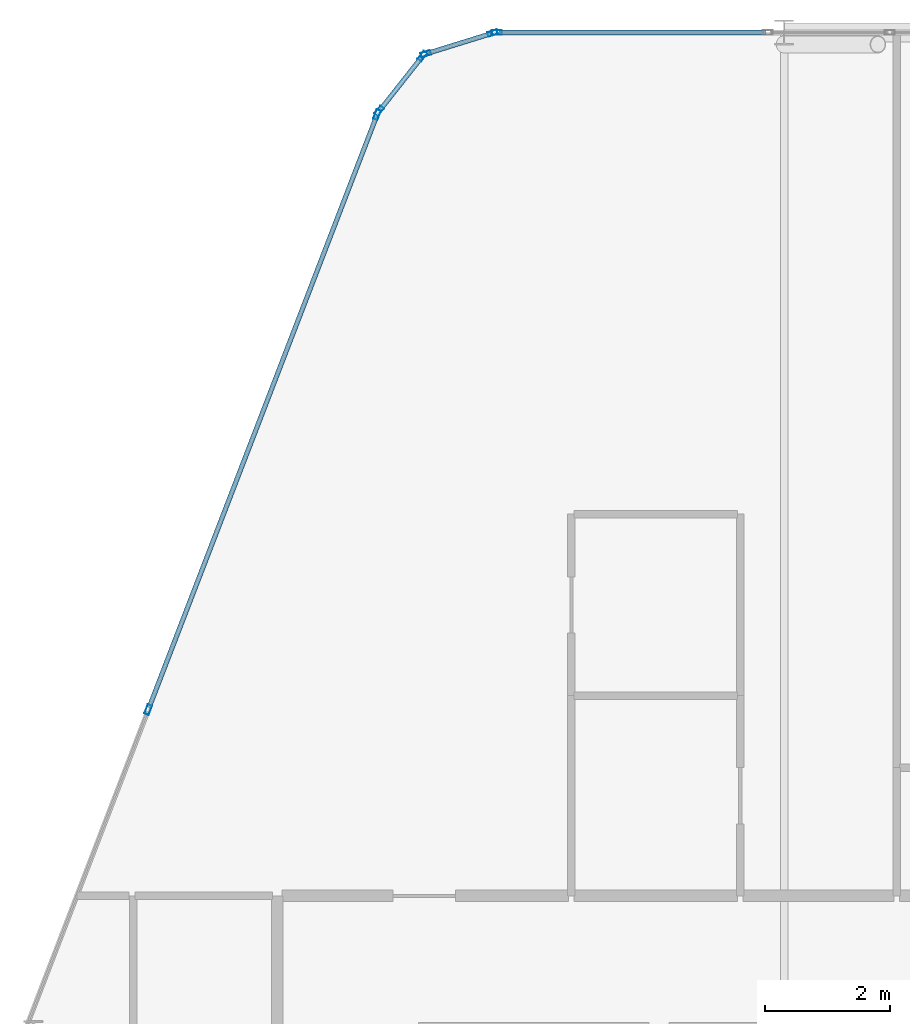
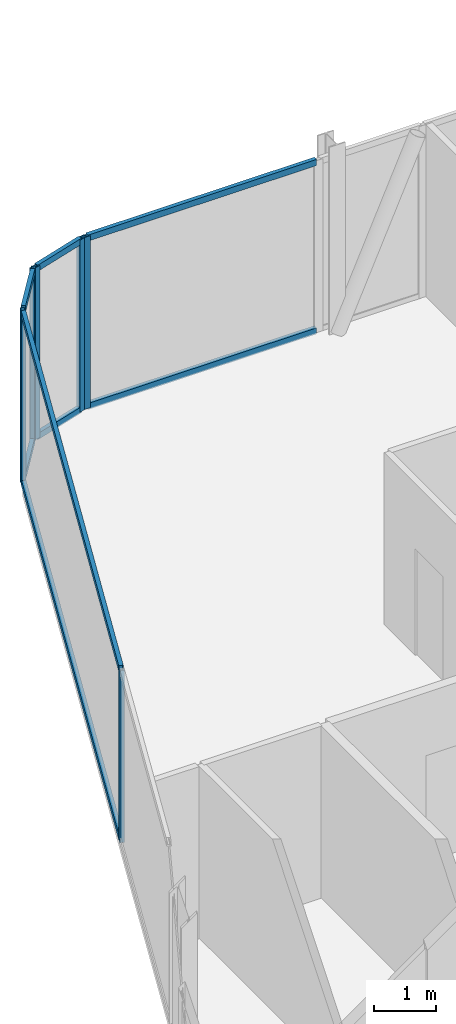
# One storey, part 15 of 27: 15 members, 4 elements without a shape of their own.
"""IFC4 building model written with IfcOpenShell, lengths in metres."""

from ifc_helpers import new_model, si_unit, direction, frame, origin, origin_2d, place, context, subcontext, project, spatial, hollow_rectangle, extrude, material, layer, layer_set, material_profile, profile_set, type_object, element, aggregate, save


model = new_model("IFC4")

# Units and contexts
model_context = context("Model", 3, precision=1e-05, world=origin(), true_north=direction((0.0, 1.0)))
body_context = subcontext(model_context, "Body", "Model", "MODEL_VIEW")
ifc_project = project(units=[si_unit("LENGTHUNIT", "METRE"), si_unit("AREAUNIT", "SQUARE_METRE"), si_unit("VOLUMEUNIT", "CUBIC_METRE"), si_unit("PLANEANGLEUNIT", "RADIAN"), si_unit("MASSUNIT", "GRAM", prefix="KILO")], contexts=[model_context])

# Site, building, storey
site_placement = place(None, origin())
site = spatial("IfcSite", under=ifc_project, at=site_placement, CompositionType="ELEMENT")
building_placement = place(site_placement, origin())
building = spatial("IfcBuilding", under=site, at=building_placement, Name="Keshet Zoharim Tower", CompositionType="ELEMENT")
storey_placement = place(building_placement, frame((0.0, 0.0, 291.699951171875)))
storey = spatial("IfcBuildingStorey", under=building, at=storey_placement, Name="L73", CompositionType="ELEMENT", Elevation=291.699951171875)

# Curtain wall, members
ifc_material = material(Name="Aluminium 6063-T6", Category="aluminium")
ifc_layer = layer(ifc_material, 0.260009765625)
ifc_layer_set = layer_set([ifc_layer], Name="Aluminium 6063-T6")
curtain_wall_type = type_object("IfcCurtainWallType", Name="CW-SYS-06", PredefinedType="NOTDEFINED", material=ifc_layer_set)
curtain_wall_1_placement = place(storey_placement, origin())
curtain_wall_1 = element("IfcCurtainWall", 1, at=curtain_wall_1_placement, inside=storey, type_object=curtain_wall_type, Name="L73 Unitised Curtain Wall 03", PredefinedType="NOTDEFINED")
ifc_material_profile_1 = material_profile(ifc_material, hollow_rectangle(XDim=0.074951171875, YDim=0.159912109375, WallThickness=0.00390625, at=origin_2d()), Name="MUL-75x160")
ifc_profile_set_1 = profile_set([ifc_material_profile_1], Name="Aluminium 6063-T6")
member_type_1 = type_object("IfcMemberType", Name="CWM-M15", PredefinedType="MULLION", material=ifc_profile_set_1)
member_1_placement = place(storey_placement, frame((10.8369140625, 43.076416015625, 0.0), z_axis=(0.0, 0.0, 1.0), x_axis=(-0.933341404361, 0.358990003907, 0.0)))
member_1 = element("IfcMember", 2, at=member_1_placement, type_object=member_type_1, Name="CW-06 mullion 3", PredefinedType="MULLION", context=body_context, shape_type="SweptSolid", body=[
    extrude(hollow_rectangle(XDim=0.074951171875, YDim=0.159912109375, WallThickness=0.00390625, at=origin_2d()), origin(), (0.0, 0.0, 1.0), 3.39013671875),
])
member_2_placement = place(storey_placement, frame((14.494384765625, 52.58544921875, 0.0), z_axis=(0.0, 0.0, 1.0), x_axis=(-0.933341404361, 0.358990003907, 0.0)))
member_2 = element("IfcMember", 3, at=member_2_placement, type_object=member_type_1, Name="CW-06 mullion 4", PredefinedType="MULLION", context=body_context, shape_type="SweptSolid", body=[
    extrude(hollow_rectangle(XDim=0.074951171875, YDim=0.159912109375, WallThickness=0.00390625, at=origin_2d()), origin(), (0.0, 0.0, 1.0), 3.39013671875),
])

curtain_wall_2_placement = place(storey_placement, origin())
curtain_wall_2 = element("IfcCurtainWall", 4, at=curtain_wall_2_placement, inside=storey, type_object=curtain_wall_type, Name="L73 Unitised Curtain Wall 04", PredefinedType="NOTDEFINED")
member_3_placement = place(storey_placement, frame((14.528564453125, 52.6455078125, 0.0), z_axis=(0.0, 0.0, 1.0), x_axis=(-0.785292825205, 0.619124525989, 0.0)))
member_3 = element("IfcMember", 5, at=member_3_placement, type_object=member_type_1, Name="CW-06 mullion 1", PredefinedType="MULLION", context=body_context, shape_type="SweptSolid", body=[
    extrude(hollow_rectangle(XDim=0.074951171875, YDim=0.159912109375, WallThickness=0.00390625, at=origin_2d()), origin(), (0.0, 0.0, 1.0), 3.39013671875),
])
member_4_placement = place(storey_placement, frame((15.21923828125, 53.521484375, 0.0), z_axis=(0.0, 0.0, 1.0), x_axis=(-0.785292825205, 0.619124525989, 0.0)))
member_4 = element("IfcMember", 6, at=member_4_placement, type_object=member_type_1, Name="CW-06 mullion 2", PredefinedType="MULLION", context=body_context, shape_type="SweptSolid", body=[
    extrude(hollow_rectangle(XDim=0.074951171875, YDim=0.159912109375, WallThickness=0.00390625, at=origin_2d()), origin(), (0.0, 0.0, 1.0), 3.39013671875),
])

curtain_wall_3_placement = place(storey_placement, origin())
curtain_wall_3 = element("IfcCurtainWall", 7, at=curtain_wall_3_placement, inside=storey, type_object=curtain_wall_type, Name="L73 Unitised Curtain Wall 05", PredefinedType="NOTDEFINED")
member_5_placement = place(storey_placement, frame((15.2744140625, 53.559326171875, 0.0), z_axis=(0.0, 0.0, 1.0), x_axis=(-0.295921857984, 0.955212151288, 0.0)))
member_5 = element("IfcMember", 8, at=member_5_placement, type_object=member_type_1, Name="CW-06 mullion 1", PredefinedType="MULLION", context=body_context, shape_type="SweptSolid", body=[
    extrude(hollow_rectangle(XDim=0.074951171875, YDim=0.159912109375, WallThickness=0.00390625, at=origin_2d()), origin(), (0.0, 0.0, 1.0), 3.39013671875),
])
member_6_placement = place(storey_placement, frame((16.340576171875, 53.8896484375, 0.0), z_axis=(0.0, 0.0, 1.0), x_axis=(-0.295921857984, 0.955212151288, 0.0)))
member_6 = element("IfcMember", 9, at=member_6_placement, type_object=member_type_1, Name="CW-06 mullion 2", PredefinedType="MULLION", context=body_context, shape_type="SweptSolid", body=[
    extrude(hollow_rectangle(XDim=0.074951171875, YDim=0.159912109375, WallThickness=0.00390625, at=origin_2d()), origin(), (0.0, 0.0, 1.0), 3.39013671875),
])

# Curtain wall, member
curtain_wall_4_placement = place(storey_placement, origin())
curtain_wall_4 = element("IfcCurtainWall", 10, at=curtain_wall_4_placement, inside=storey, type_object=curtain_wall_type, Name="L73 Unitised Curtain Wall 06", PredefinedType="NOTDEFINED")
member_7_placement = place(storey_placement, frame((16.408935546875, 53.89990234375, 0.0), z_axis=(0.0, 0.0, 1.0), x_axis=(0.0, 1.0, 0.0)))
member_7 = element("IfcMember", 11, at=member_7_placement, type_object=member_type_1, Name="CW-06 mullion 1", PredefinedType="MULLION", context=body_context, shape_type="SweptSolid", body=[
    extrude(hollow_rectangle(XDim=0.074951171875, YDim=0.159912109375, WallThickness=0.00390625, at=origin_2d()), origin(), (0.0, 0.0, 1.0), 3.39013671875),
])

# Member
ifc_material_profile_2 = material_profile(ifc_material, hollow_rectangle(XDim=0.074951171875, YDim=0.1201171875, WallThickness=0.00390625, at=origin_2d()), Name="TRN-75x120")
ifc_profile_set_2 = profile_set([ifc_material_profile_2], Name="Aluminium 6063-T6")
member_type_2 = type_object("IfcMemberType", Name="CWT-T12", PredefinedType="USERDEFINED", material=ifc_profile_set_2)
member_8_placement = place(storey_placement, frame((10.849609375, 43.10888671875, 0.03515625), z_axis=(0.358985546764, 0.933343118694, 0.0), x_axis=(-0.933343118694, 0.358985546764, 0.0)))
member_8 = element("IfcMember", 12, at=member_8_placement, type_object=member_type_2, Name="CW-06 transom 3.1", ObjectType="TRANSOM", PredefinedType="USERDEFINED", context=body_context, shape_type="SweptSolid", body=[
    extrude(hollow_rectangle(XDim=0.074951171875, YDim=0.1201171875, WallThickness=0.00390625, at=origin_2d()), origin(), (0.0, 0.0, 1.0), 10.118408203125),
])

member_9_placement = place(storey_placement, frame((10.849609375, 43.10888671875, 3.35498046875), z_axis=(0.358985546764, 0.933343118694, 0.0), x_axis=(-0.933343118694, 0.358985546764, 0.0)))
member_9 = element("IfcMember", 13, at=member_9_placement, type_object=member_type_2, Name="CW-06 transom 3.2", ObjectType="TRANSOM", PredefinedType="USERDEFINED", context=body_context, shape_type="SweptSolid", body=[
    extrude(hollow_rectangle(XDim=0.074951171875, YDim=0.1201171875, WallThickness=0.00390625, at=origin_2d()), origin(), (0.0, 0.0, 1.0), 10.118408203125),
])

aggregate(curtain_wall_1, [member_1, member_2, member_8, member_9])

member_10_placement = place(storey_placement, frame((14.55029296875, 52.6728515625, 0.03515625), z_axis=(0.619099165969, 0.78531281837, 0.0), x_axis=(-0.78531281837, 0.619099165969, 0.0)))
member_10 = element("IfcMember", 14, at=member_10_placement, type_object=member_type_2, Name="CW-06 transom 1.1", ObjectType="TRANSOM", PredefinedType="USERDEFINED", context=body_context, shape_type="SweptSolid", body=[
    extrude(hollow_rectangle(XDim=0.074951171875, YDim=0.1201171875, WallThickness=0.00390625, at=origin_2d()), origin(), (0.0, 0.0, 1.0), 1.0458984375),
])

member_11_placement = place(storey_placement, frame((14.55029296875, 52.6728515625, 3.35498046875), z_axis=(0.619099165969, 0.78531281837, 0.0), x_axis=(-0.78531281837, 0.619099165969, 0.0)))
member_11 = element("IfcMember", 15, at=member_11_placement, type_object=member_type_2, Name="CW-06 transom 1.2", ObjectType="TRANSOM", PredefinedType="USERDEFINED", context=body_context, shape_type="SweptSolid", body=[
    extrude(hollow_rectangle(XDim=0.074951171875, YDim=0.1201171875, WallThickness=0.00390625, at=origin_2d()), origin(), (0.0, 0.0, 1.0), 1.0458984375),
])

aggregate(curtain_wall_2, [member_3, member_4, member_10, member_11])

member_12_placement = place(storey_placement, frame((15.307861328125, 53.56982421875, 0.03515625), z_axis=(0.955212093062, 0.295922045933, 0.0), x_axis=(-0.295922045933, 0.955212093062, 0.0)))
member_12 = element("IfcMember", 16, at=member_12_placement, type_object=member_type_2, Name="CW-06 transom 1.1", ObjectType="TRANSOM", PredefinedType="USERDEFINED", context=body_context, shape_type="SweptSolid", body=[
    extrude(hollow_rectangle(XDim=0.074951171875, YDim=0.1201171875, WallThickness=0.00390625, at=origin_2d()), origin(), (0.0, 0.0, 1.0), 1.046142578125),
])

member_13_placement = place(storey_placement, frame((15.307861328125, 53.56982421875, 3.35498046875), z_axis=(0.955212093062, 0.295922045933, 0.0), x_axis=(-0.295922045933, 0.955212093062, 0.0)))
member_13 = element("IfcMember", 17, at=member_13_placement, type_object=member_type_2, Name="CW-06 transom 1.2", ObjectType="TRANSOM", PredefinedType="USERDEFINED", context=body_context, shape_type="SweptSolid", body=[
    extrude(hollow_rectangle(XDim=0.074951171875, YDim=0.1201171875, WallThickness=0.00390625, at=origin_2d()), origin(), (0.0, 0.0, 1.0), 1.046142578125),
])

aggregate(curtain_wall_3, [member_5, member_6, member_12, member_13])

member_14_placement = place(storey_placement, frame((16.444091796875, 53.89990234375, 0.03515625), z_axis=(1.0, 0.0, 0.0), x_axis=(0.0, 1.0, 0.0)))
member_14 = element("IfcMember", 18, at=member_14_placement, type_object=member_type_2, Name="CW-06 transom 1.1", ObjectType="TRANSOM", PredefinedType="USERDEFINED", context=body_context, shape_type="SweptSolid", body=[
    extrude(hollow_rectangle(XDim=0.074951171875, YDim=0.1201171875, WallThickness=0.00390625, at=origin_2d()), origin(), (0.0, 0.0, 1.0), 4.260986328125),
])

member_15_placement = place(storey_placement, frame((16.444091796875, 53.89990234375, 3.35498046875), z_axis=(1.0, 0.0, 0.0), x_axis=(0.0, 1.0, 0.0)))
member_15 = element("IfcMember", 19, at=member_15_placement, type_object=member_type_2, Name="CW-06 transom 1.2", ObjectType="TRANSOM", PredefinedType="USERDEFINED", context=body_context, shape_type="SweptSolid", body=[
    extrude(hollow_rectangle(XDim=0.074951171875, YDim=0.1201171875, WallThickness=0.00390625, at=origin_2d()), origin(), (0.0, 0.0, 1.0), 4.260986328125),
])

aggregate(curtain_wall_4, [member_7, member_14, member_15])

save(model, "model.ifc")
